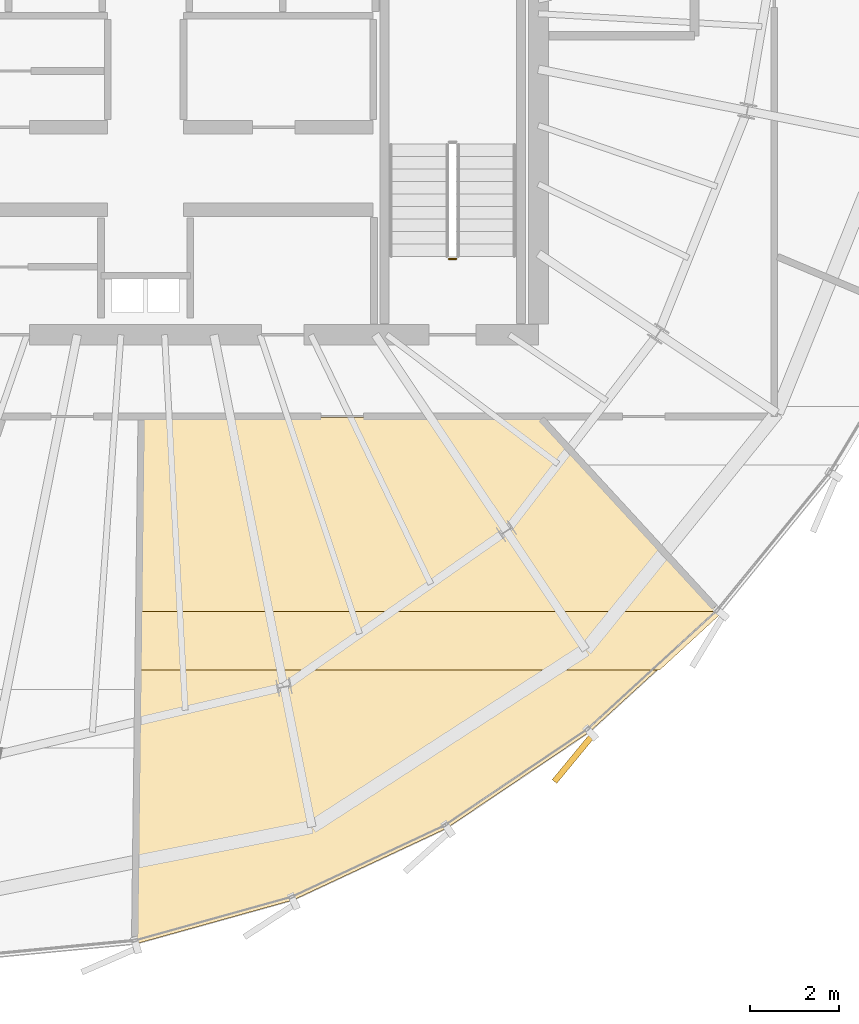
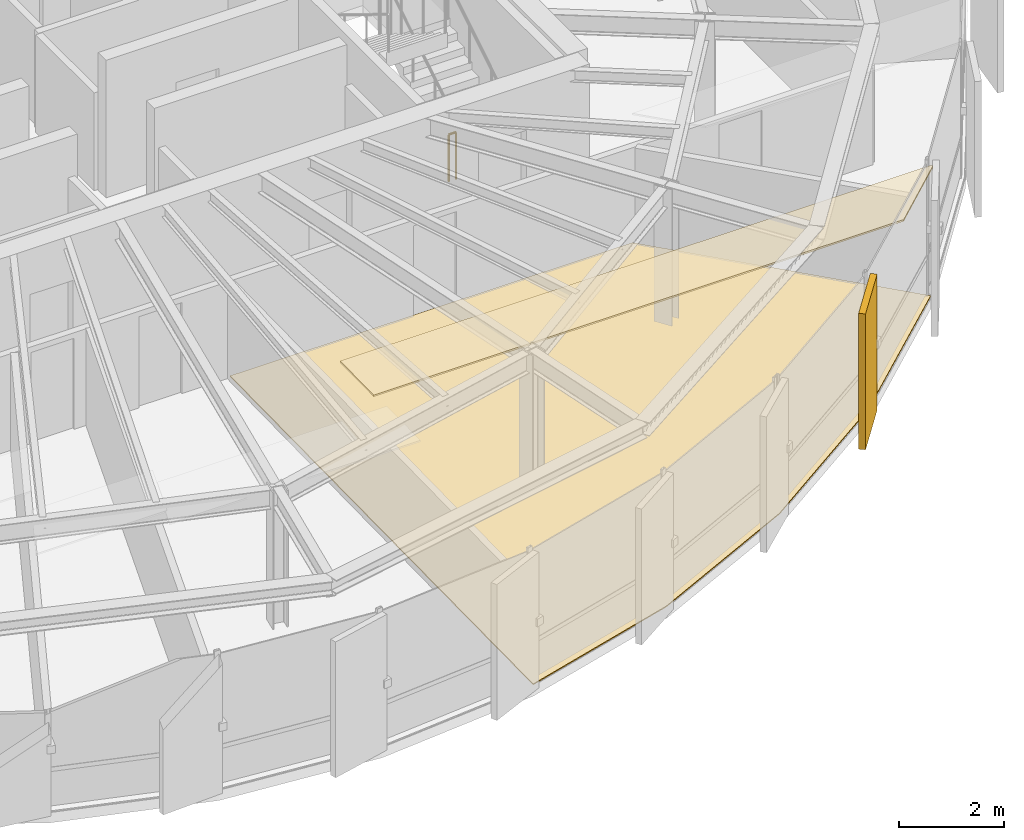
# One storey, part 31 of 33: 3 coverings, 1 railing.
"""IFC4 building model written with IfcOpenShell, lengths in metres."""

from ifc_helpers import new_model, si_unit, direction, frame, origin, origin_2d, place, context, subcontext, project, spatial, polyline, rectangle, circle, outline, extrude, source, transform, mapped, material, layer, layer_set, type_object, element, save


model = new_model("IFC4")

# Units and contexts
model_context = context("Model", 3, precision=1e-05, world=origin(), true_north=direction((0.0, 1.0)))
body_context = subcontext(model_context, "Body", "Model", "MODEL_VIEW")
ifc_project = project(units=[si_unit("LENGTHUNIT", "METRE"), si_unit("AREAUNIT", "SQUARE_METRE"), si_unit("VOLUMEUNIT", "CUBIC_METRE"), si_unit("PLANEANGLEUNIT", "RADIAN"), si_unit("MASSUNIT", "GRAM", prefix="KILO"), si_unit("THERMODYNAMICTEMPERATUREUNIT", "KELVIN")], contexts=[model_context])

# Site, building, storey
site_placement = place(None, origin())
site = spatial("IfcSite", under=ifc_project, at=site_placement, CompositionType="ELEMENT")
building_placement = place(site_placement, origin())
building = spatial("IfcBuilding", under=site, at=building_placement, Name="Kethvar Cultural Tower", CompositionType="ELEMENT")
storey_placement = place(building_placement, frame((0.0, 0.0, 256.0)))
storey = spatial("IfcBuildingStorey", under=building, at=storey_placement, Name="L67", CompositionType="ELEMENT", Elevation=256.0)

# Coverings
ifc_material_1 = material(Name="Acoustic Mineral Fibre Ceiling")
ifc_layer_1 = layer(ifc_material_1, 0.0400390625, Name="Acoustic Mineral Fibre Ceiling")
ifc_layer_set_1 = layer_set([ifc_layer_1], Name="Acoustic Mineral Fibre Ceiling (40 mm)")
covering_type_1 = type_object("IfcCoveringType", Name="CV-ACOUSTIC-CEIL", PredefinedType="CEILING", material=ifc_layer_set_1)
covering_1_placement = place(storey_placement, frame((0.0, 0.0, 3.0)))
element("IfcCovering", 1, at=covering_1_placement, inside=storey, type_object=covering_type_1, Name="L67 Room 05 Acoustic Ceiling Panel", PredefinedType="CEILING", context=body_context, shape_type="SweptSolid", body=[
    extrude(outline(polyline([(46.639892578125, 13.8994140625), (59.681884765625, 13.8994140625), (59.70654296875, 13.864013671875), (58.32470703125, 12.58935546875), (46.626708984375, 12.58935546875), (46.639892578125, 13.8994140625)])), origin(), (0.0, 0.0, 1.0), 0.0400390625),
])
ifc_material_2 = material(Name="Architectural Oak Timber", Category="wood")
ifc_layer_2 = layer(ifc_material_2, 0.02490234375, Name="Architectural Oak Timber", Category="wood")
ifc_layer_set_2 = layer_set([ifc_layer_2], Name="Architectural Oak Timber (25 mm)")
covering_type_2 = type_object("IfcCoveringType", Name="CV-OAK-FLOOR", PredefinedType="FLOORING", material=ifc_layer_set_2)
covering_2_placement = place(storey_placement, origin())
element("IfcCovering", 2, at=covering_2_placement, inside=storey, type_object=covering_type_2, Name="L67 Room 05 Floor Finish", PredefinedType="FLOORING", context=body_context, shape_type="SweptSolid", body=[
    extrude(outline(polyline([(56.75341796875, 11.203369140625), (53.5322265625, 9.032470703125), (50.10693359375, 7.431884765625), (46.60498046875, 6.45703125), (46.723876953125, 18.2490234375), (55.60498046875, 18.2490234375), (59.658203125, 13.8662109375), (56.75341796875, 11.203369140625)])), origin(), (0.0, 0.0, 1.0), 0.02490234375),
])

# Railing
ifc_material_3 = material(Name="Steel S355J2", Category="steel")
railing_type = type_object("IfcRailingType", Name="RL-STAIR-GUARD", PredefinedType="BALUSTRADE", material=ifc_material_3)
railing_placement = place(storey_placement, frame((53.760009765625, 21.800048828125, 0.0)))
element("IfcRailing", 3, at=railing_placement, inside=storey, type_object=railing_type, Name="L67 ST-02 stair guard 4", PredefinedType="BALUSTRADE", context=body_context, shape_type="SweptSolid", body=[
    extrude(circle(Radius=0.02392578125, at=origin_2d()), frame((0.0, 0.0, 1.09619140625), z_axis=(-1.0, 0.0, 0.0), x_axis=(0.0, -1.0, 0.0)), (0.0, 0.0, 1.0), 0.159912109375),
    extrude(circle(Radius=0.02099609375, at=origin_2d()), origin(), (0.0, 0.0, 1.0), 1.072021484375),
    extrude(circle(Radius=0.02099609375, at=origin_2d()), frame((-0.159912109375, 0.0, 0.0)), (0.0, 0.0, 1.0), 1.072021484375),
])

# Covering
ifc_material_4 = material(Name="Extruded Architectural Terracotta", Category="masonry")
ifc_layer_3 = layer(ifc_material_4, 0.135009765625, Name="Extruded Architectural Terracotta", Category="masonry")
ifc_layer_set_3 = layer_set([ifc_layer_3], Name="Extruded Architectural Terracotta (135 mm)")
covering_type_3 = type_object("IfcCoveringType", Name="Terracotta Facade Fin FIN-03", PredefinedType="CLADDING", material=ifc_layer_set_3)
shared_shape = source(origin(), body_context, "Body", "SweptSolid", [
    extrude(rectangle(XDim=1.35009765625, YDim=0.135009765625, at=origin_2d()), origin(), (0.0, 0.0, 1.0), 3.169921875),
])
covering_3_placement = place(storey_placement, frame((56.390380859375, 10.607666015625, 0.02001953125), z_axis=(0.0, 0.0, 1.0), x_axis=(-0.635943536695, -0.771735588227, 0.0)))
element("IfcCovering", 4, at=covering_3_placement, inside=storey, type_object=covering_type_3, Name="L67 Vertical Terracotta Fin 5.2", PredefinedType="CLADDING", context=body_context, shape_type="MappedRepresentation", body=[
    mapped(shared_shape, transform((0.0, 0.0, 0.0), scale=1.0)),
])

save(model, "model.ifc")
